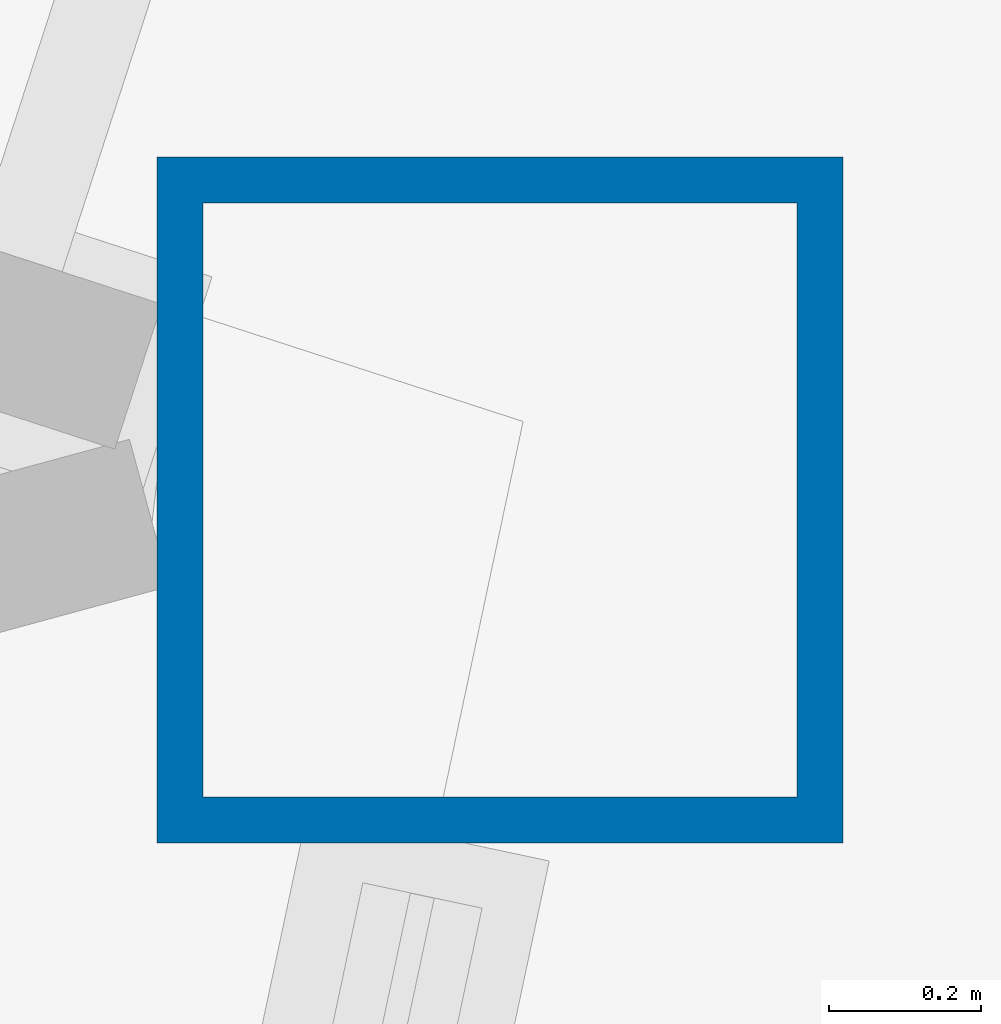
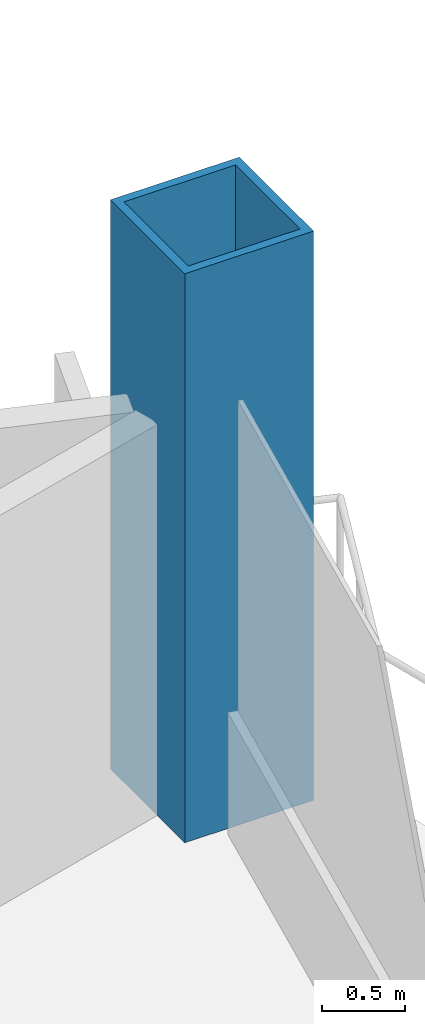
# One storey, part 2 of 21: 1 column.
"""IFC4 building model written with IfcOpenShell, lengths in metres."""

from ifc_helpers import new_model, si_unit, direction, frame, origin, origin_2d, place, context, subcontext, project, spatial, hollow_rectangle, extrude, material, material_profile, profile_set, type_object, element, save


model = new_model("IFC4")

# Units and contexts
model_context = context("Model", 3, precision=1e-05, world=origin(), true_north=direction((0.0, 1.0)))
body_context = subcontext(model_context, "Body", "Model", "MODEL_VIEW")
ifc_project = project(units=[si_unit("LENGTHUNIT", "METRE"), si_unit("AREAUNIT", "SQUARE_METRE"), si_unit("VOLUMEUNIT", "CUBIC_METRE"), si_unit("PLANEANGLEUNIT", "RADIAN"), si_unit("MASSUNIT", "GRAM", prefix="KILO")], contexts=[model_context])

# Site, building, storey
site_placement = place(None, origin())
site = spatial("IfcSite", under=ifc_project, at=site_placement, CompositionType="ELEMENT")
building_placement = place(site_placement, origin())
building = spatial("IfcBuilding", under=site, at=building_placement, Name="Cormorant Prow Tower", CompositionType="ELEMENT")
storey_placement = place(building_placement, frame((0.0, 0.0, 150.0)))
storey = spatial("IfcBuildingStorey", under=building, at=storey_placement, Name="L32", CompositionType="ELEMENT", Elevation=150.0)

# Column
ifc_material = material(Name="Structural steel ASTM A572 Gr 50", Category="steel")
ifc_material_profile = material_profile(ifc_material, hollow_rectangle(XDim=0.89990234375, YDim=0.89990234375, WallThickness=0.06005859375, at=origin_2d()), Name="Box 900x900x60")
ifc_profile_set = profile_set([ifc_material_profile], Name="Structural steel ASTM A572 Gr 50")
column_type = type_object("IfcColumnType", Name="Perimeter box column 900x900x60", PredefinedType="COLUMN", material=ifc_profile_set)
column_placement = place(storey_placement, frame((32.1962890625, -4.967041015625, 0.0), z_axis=(0.0, 0.0, 1.0), x_axis=(1.0, 0.0, 0.0)))
element("IfcColumn", 1, at=column_placement, inside=storey, type_object=column_type, Name="Perimeter column C3 at ENE01 L32", PredefinedType="COLUMN", context=body_context, shape_type="SweptSolid", body=[
    extrude(hollow_rectangle(XDim=0.89990234375, YDim=0.89990234375, WallThickness=0.06005859375, at=origin_2d()), origin(), (0.0, 0.0, 1.0), 4.199951171875),
])

save(model, "model.ifc")
